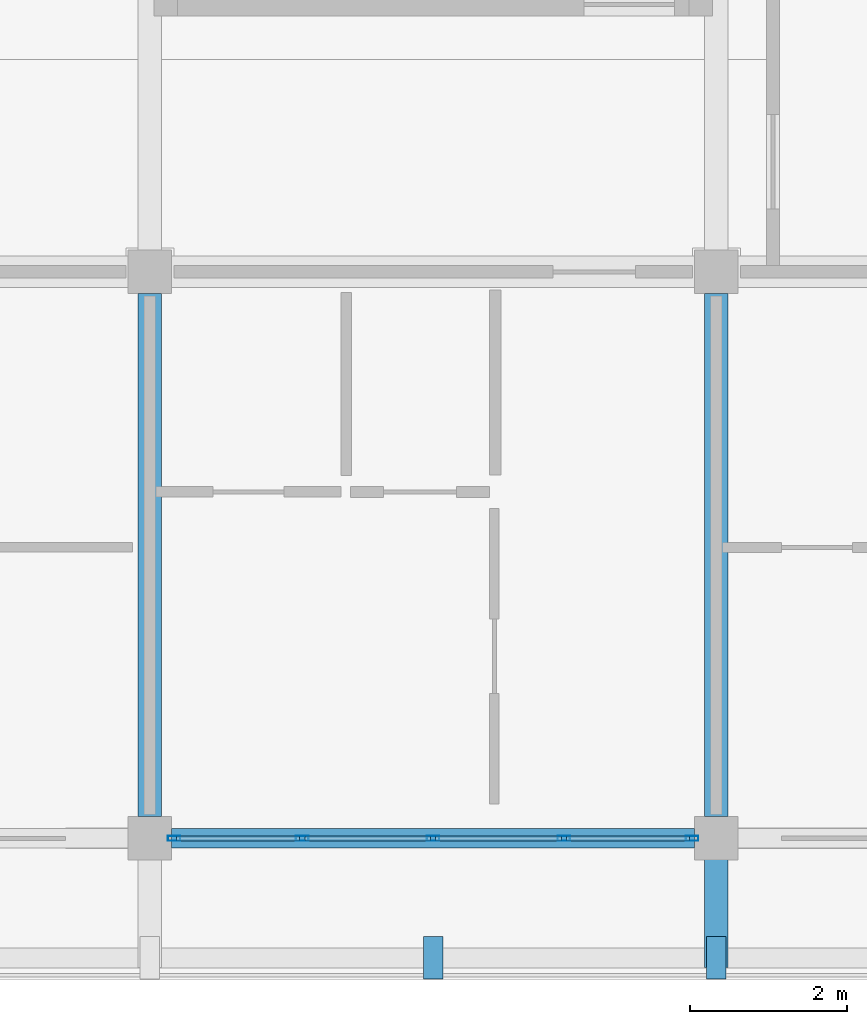
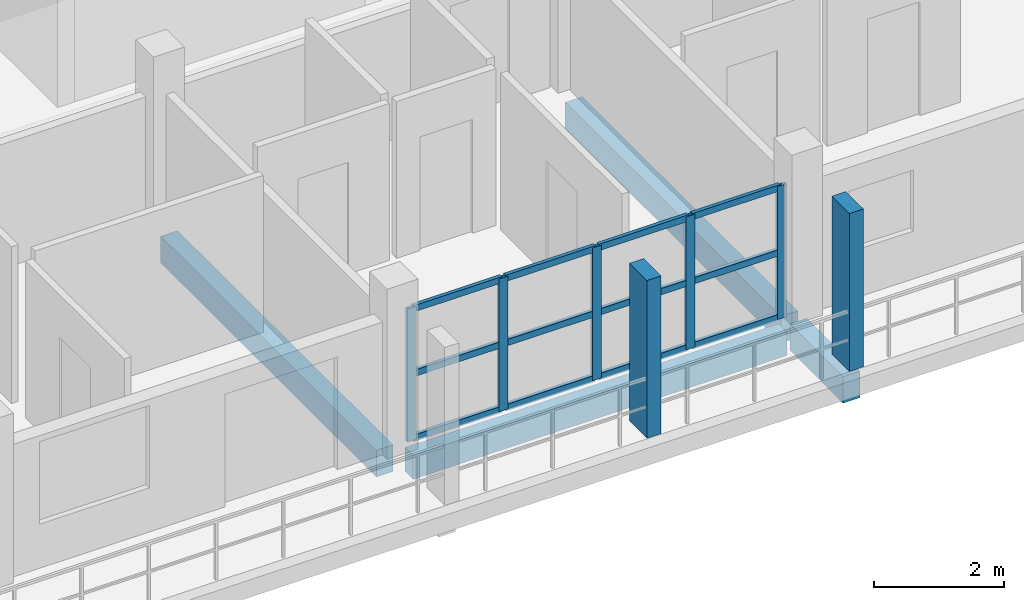
# One storey, part 4 of 65: 19 members, 4 beams, 1 element without a shape of its own.
"""IFC4 building model written with IfcOpenShell, lengths in metres."""

from ifc_helpers import new_model, si_unit, direction, frame, origin, origin_2d, place, context, subcontext, project, spatial, rectangle, hollow_rectangle, extrude, material, material_profile, profile_set, type_object, element, aggregate, save


model = new_model("IFC4")

# Units and contexts
model_context = context("Model", 3, precision=1e-05, world=origin(), true_north=direction((0.0, 1.0)))
body_context = subcontext(model_context, "Body", "Model", "MODEL_VIEW")
ifc_project = project(units=[si_unit("LENGTHUNIT", "METRE"), si_unit("AREAUNIT", "SQUARE_METRE"), si_unit("VOLUMEUNIT", "CUBIC_METRE"), si_unit("PLANEANGLEUNIT", "RADIAN"), si_unit("MASSUNIT", "GRAM", prefix="KILO")], contexts=[model_context])

# Site, building, storey
site_placement = place(None, origin())
site = spatial("IfcSite", under=ifc_project, at=site_placement, CompositionType="ELEMENT")
building_placement = place(site_placement, origin())
building = spatial("IfcBuilding", under=site, at=building_placement, Name="Suanplinth Sawtooth Commons", CompositionType="ELEMENT")
storey_placement = place(building_placement, frame((0.0, 0.0, 28.300048828125)))
storey = spatial("IfcBuildingStorey", under=building, at=storey_placement, Name="L08", CompositionType="ELEMENT", Elevation=28.300048828125)

# Beams
ifc_material_1 = material(Name="Precast concrete C40/50", Category="concrete")
ifc_material_profile_1 = material_profile(ifc_material_1, rectangle(XDim=0.300048828125, YDim=0.5, at=origin_2d()), Name="PC-BM 300x500")
ifc_profile_set_1 = profile_set([ifc_material_profile_1], Name="Precast concrete C40/50")
beam_type_1 = type_object("IfcBeamType", Name="B-07", PredefinedType="BEAM", material=ifc_profile_set_1)
for number, where, z_axis, x_axis, name in (
    (1, (14.39990234375, 0.27490234375, -0.4599609375), (0.0, 1.0, 0.0), (-1.0, 0.0, 0.0), "BMY-L08-D-2-0"),
    (2, (21.60009765625, 0.27490234375, -0.4599609375), (0.0, 1.0, 0.0), (-1.0, 0.0, 0.0), "BMY-L08-D-3-0"),
):
    element("IfcBeam", number, at=place(storey_placement, frame(where, z_axis=z_axis, x_axis=x_axis)), inside=storey, type_object=beam_type_1, Name=name, PredefinedType="BEAM", context=body_context, shape_type="SweptSolid", body=[
        extrude(rectangle(XDim=0.300048828125, YDim=0.5, at=origin_2d()), origin(), (0.0, 0.0, 1.0), 6.650146484375),
    ])
beam_1_placement = place(storey_placement, frame((21.60009765625, 0.0, -0.429931640625), z_axis=(0.0, -1.0, 0.0), x_axis=(1.0, 0.0, 0.0)))
element("IfcBeam", 3, at=beam_1_placement, inside=storey, type_object=beam_type_1, Name="Balcony Outrigger L08-D-S-3", PredefinedType="BEAM", context=body_context, shape_type="SweptSolid", body=[
    extrude(rectangle(XDim=0.300048828125, YDim=0.5, at=origin_2d()), origin(), (0.0, 0.0, 1.0), 1.639892578125),
])
ifc_material_profile_2 = material_profile(ifc_material_1, rectangle(XDim=0.25, YDim=0.449951171875, at=origin_2d()), Name="PC-SP 250x450")
ifc_profile_set_2 = profile_set([ifc_material_profile_2], Name="Precast concrete C40/50")
beam_type_2 = type_object("IfcBeamType", Name="B-09", PredefinedType="SPANDREL", material=ifc_profile_set_2)
beam_2_placement = place(storey_placement, frame((14.675048828125, 0.0, -0.43505859375), z_axis=(1.0, 0.0, 0.0), x_axis=(0.0, 1.0, 0.0)))
element("IfcBeam", 4, at=beam_2_placement, inside=storey, type_object=beam_type_2, Name="BMX-L08-D-2-0", PredefinedType="SPANDREL", context=body_context, shape_type="SweptSolid", body=[
    extrude(rectangle(XDim=0.25, YDim=0.449951171875, at=origin_2d()), origin(), (0.0, 0.0, 1.0), 6.64990234375),
])

# Members
ifc_material_2 = material(Name="Pigmented precast concrete C40/50", Category="concrete")
ifc_material_profile_3 = material_profile(ifc_material_2, rectangle(XDim=0.25, YDim=0.5400390625, at=origin_2d()), Name="PC-FIN 250x540")
ifc_profile_set_3 = profile_set([ifc_material_profile_3], Name="Pigmented precast concrete C40/50")
member_type_1 = type_object("IfcMemberType", Name="M-11", PredefinedType="USERDEFINED", material=ifc_profile_set_3)
for number, where, z_axis, x_axis, name in (
    (5, (18.0, -1.52001953125, 0.0), (0.0, 0.0, 1.0), (1.0, 0.0, 0.0), "Upright Solar Blade L08-D-S-03"),
    (6, (21.60009765625, -1.52001953125, 0.0), (0.0, 0.0, 1.0), (1.0, 0.0, 0.0), "Upright Solar Blade L08-D-S-04"),
):
    element("IfcMember", number, at=place(storey_placement, frame(where, z_axis=z_axis, x_axis=x_axis)), inside=storey, type_object=member_type_1, Name=name, ObjectType="SHADING FIN", PredefinedType="USERDEFINED", context=body_context, shape_type="SweptSolid", body=[
        extrude(rectangle(XDim=0.25, YDim=0.5400390625, at=origin_2d()), origin(), (0.0, 0.0, 1.0), 2.969970703125),
    ])

# Curtain wall, members
ifc_material_3 = material(Name="Anodized aluminium and low-E glazing", Category="aluminium")
curtain_wall_type = type_object("IfcCurtainWallType", Name="CW-06", PredefinedType="USERDEFINED", material=ifc_material_3)
curtain_wall_placement = place(storey_placement, origin())
curtain_wall = element("IfcCurtainWall", 7, at=curtain_wall_placement, inside=storey, type_object=curtain_wall_type, Name="Curtain Wall CW-L08-D-LOUNGE-2", ObjectType="CURTAIN WALL", PredefinedType="USERDEFINED")
ifc_material_4 = material(Name="Anodized aluminium 6063-T6", Category="aluminium")
ifc_material_profile_4 = material_profile(ifc_material_4, hollow_rectangle(XDim=0.06494140625, YDim=0.159912109375, WallThickness=0.00390625, at=origin_2d()), Name="ALU-MUL 65x160")
ifc_profile_set_4 = profile_set([ifc_material_profile_4], Name="Anodized aluminium 6063-T6")
member_type_2 = type_object("IfcMemberType", Name="M-13", PredefinedType="MULLION", material=ifc_profile_set_4)
member_1_placement = place(storey_placement, frame((14.70751953125, 0.0, 0.0), z_axis=(0.0, 0.0, 1.0), x_axis=(0.0, 1.0, 0.0)))
member_1 = element("IfcMember", 8, at=member_1_placement, type_object=member_type_2, Name="CW-06 mullion 1", PredefinedType="MULLION", context=body_context, shape_type="SweptSolid", body=[
    extrude(hollow_rectangle(XDim=0.06494140625, YDim=0.159912109375, WallThickness=0.00390625, at=origin_2d()), origin(), (0.0, 0.0, 1.0), 2.5),
])
member_2_placement = place(storey_placement, frame((16.33740234375, 0.0, 0.0), z_axis=(0.0, 0.0, 1.0), x_axis=(0.0, 1.0, 0.0)))
member_2 = element("IfcMember", 9, at=member_2_placement, type_object=member_type_2, Name="CW-06 mullion 2", PredefinedType="MULLION", context=body_context, shape_type="SweptSolid", body=[
    extrude(hollow_rectangle(XDim=0.06494140625, YDim=0.159912109375, WallThickness=0.00390625, at=origin_2d()), origin(), (0.0, 0.0, 1.0), 2.5),
])
member_3_placement = place(storey_placement, frame((18.0, 0.0, 0.0), z_axis=(0.0, 0.0, 1.0), x_axis=(0.0, 1.0, 0.0)))
member_3 = element("IfcMember", 10, at=member_3_placement, type_object=member_type_2, Name="CW-06 mullion 3", PredefinedType="MULLION", context=body_context, shape_type="SweptSolid", body=[
    extrude(hollow_rectangle(XDim=0.06494140625, YDim=0.159912109375, WallThickness=0.00390625, at=origin_2d()), origin(), (0.0, 0.0, 1.0), 2.5),
])
member_4_placement = place(storey_placement, frame((19.66259765625, 0.0, 0.0), z_axis=(0.0, 0.0, 1.0), x_axis=(0.0, 1.0, 0.0)))
member_4 = element("IfcMember", 11, at=member_4_placement, type_object=member_type_2, Name="CW-06 mullion 4", PredefinedType="MULLION", context=body_context, shape_type="SweptSolid", body=[
    extrude(hollow_rectangle(XDim=0.06494140625, YDim=0.159912109375, WallThickness=0.00390625, at=origin_2d()), origin(), (0.0, 0.0, 1.0), 2.5),
])
member_5_placement = place(storey_placement, frame((21.29248046875, 0.0, 0.0), z_axis=(0.0, 0.0, 1.0), x_axis=(0.0, 1.0, 0.0)))
member_5 = element("IfcMember", 12, at=member_5_placement, type_object=member_type_2, Name="CW-06 mullion 5", PredefinedType="MULLION", context=body_context, shape_type="SweptSolid", body=[
    extrude(hollow_rectangle(XDim=0.06494140625, YDim=0.159912109375, WallThickness=0.00390625, at=origin_2d()), origin(), (0.0, 0.0, 1.0), 2.5),
])
ifc_material_profile_5 = material_profile(ifc_material_4, hollow_rectangle(XDim=0.06494140625, YDim=0.1201171875, WallThickness=0.00390625, at=origin_2d()), Name="ALU-TRN 65x120")
ifc_profile_set_5 = profile_set([ifc_material_profile_5], Name="Anodized aluminium 6063-T6")
member_type_3 = type_object("IfcMemberType", Name="M-15", PredefinedType="USERDEFINED", material=ifc_profile_set_5)
member_6_placement = place(storey_placement, frame((14.739990234375, 0.0, 0.032470703125), z_axis=(1.0, 0.0, 0.0), x_axis=(0.0, 1.0, 0.0)))
member_6 = element("IfcMember", 13, at=member_6_placement, type_object=member_type_3, Name="CW-06 transom 1.1", ObjectType="TRANSOM", PredefinedType="USERDEFINED", context=body_context, shape_type="SweptSolid", body=[
    extrude(hollow_rectangle(XDim=0.06494140625, YDim=0.1201171875, WallThickness=0.00390625, at=origin_2d()), origin(), (0.0, 0.0, 1.0), 1.56494140625),
])
member_7_placement = place(storey_placement, frame((14.739990234375, 0.0, 1.25), z_axis=(1.0, 0.0, 0.0), x_axis=(0.0, 1.0, 0.0)))
member_7 = element("IfcMember", 14, at=member_7_placement, type_object=member_type_3, Name="CW-06 transom 1.2", ObjectType="TRANSOM", PredefinedType="USERDEFINED", context=body_context, shape_type="SweptSolid", body=[
    extrude(hollow_rectangle(XDim=0.06494140625, YDim=0.1201171875, WallThickness=0.00390625, at=origin_2d()), origin(), (0.0, 0.0, 1.0), 1.56494140625),
])
member_8_placement = place(storey_placement, frame((14.739990234375, 0.0, 2.467529296875), z_axis=(1.0, 0.0, 0.0), x_axis=(0.0, 1.0, 0.0)))
member_8 = element("IfcMember", 15, at=member_8_placement, type_object=member_type_3, Name="CW-06 transom 1.3", ObjectType="TRANSOM", PredefinedType="USERDEFINED", context=body_context, shape_type="SweptSolid", body=[
    extrude(hollow_rectangle(XDim=0.06494140625, YDim=0.1201171875, WallThickness=0.00390625, at=origin_2d()), origin(), (0.0, 0.0, 1.0), 1.56494140625),
])
member_9_placement = place(storey_placement, frame((16.3701171875, 0.0, 0.032470703125), z_axis=(1.0, 0.0, 0.0), x_axis=(0.0, 1.0, 0.0)))
member_9 = element("IfcMember", 16, at=member_9_placement, type_object=member_type_3, Name="CW-06 transom 2.1", ObjectType="TRANSOM", PredefinedType="USERDEFINED", context=body_context, shape_type="SweptSolid", body=[
    extrude(hollow_rectangle(XDim=0.06494140625, YDim=0.1201171875, WallThickness=0.00390625, at=origin_2d()), origin(), (0.0, 0.0, 1.0), 1.597412109375),
])
member_10_placement = place(storey_placement, frame((16.3701171875, 0.0, 1.25), z_axis=(1.0, 0.0, 0.0), x_axis=(0.0, 1.0, 0.0)))
member_10 = element("IfcMember", 17, at=member_10_placement, type_object=member_type_3, Name="CW-06 transom 2.2", ObjectType="TRANSOM", PredefinedType="USERDEFINED", context=body_context, shape_type="SweptSolid", body=[
    extrude(hollow_rectangle(XDim=0.06494140625, YDim=0.1201171875, WallThickness=0.00390625, at=origin_2d()), origin(), (0.0, 0.0, 1.0), 1.597412109375),
])
member_11_placement = place(storey_placement, frame((16.3701171875, 0.0, 2.467529296875), z_axis=(1.0, 0.0, 0.0), x_axis=(0.0, 1.0, 0.0)))
member_11 = element("IfcMember", 18, at=member_11_placement, type_object=member_type_3, Name="CW-06 transom 2.3", ObjectType="TRANSOM", PredefinedType="USERDEFINED", context=body_context, shape_type="SweptSolid", body=[
    extrude(hollow_rectangle(XDim=0.06494140625, YDim=0.1201171875, WallThickness=0.00390625, at=origin_2d()), origin(), (0.0, 0.0, 1.0), 1.597412109375),
])
member_12_placement = place(storey_placement, frame((18.032470703125, 0.0, 0.032470703125), z_axis=(1.0, 0.0, 0.0), x_axis=(0.0, 1.0, 0.0)))
member_12 = element("IfcMember", 19, at=member_12_placement, type_object=member_type_3, Name="CW-06 transom 3.1", ObjectType="TRANSOM", PredefinedType="USERDEFINED", context=body_context, shape_type="SweptSolid", body=[
    extrude(hollow_rectangle(XDim=0.06494140625, YDim=0.1201171875, WallThickness=0.00390625, at=origin_2d()), origin(), (0.0, 0.0, 1.0), 1.597412109375),
])
member_13_placement = place(storey_placement, frame((18.032470703125, 0.0, 1.25), z_axis=(1.0, 0.0, 0.0), x_axis=(0.0, 1.0, 0.0)))
member_13 = element("IfcMember", 20, at=member_13_placement, type_object=member_type_3, Name="CW-06 transom 3.2", ObjectType="TRANSOM", PredefinedType="USERDEFINED", context=body_context, shape_type="SweptSolid", body=[
    extrude(hollow_rectangle(XDim=0.06494140625, YDim=0.1201171875, WallThickness=0.00390625, at=origin_2d()), origin(), (0.0, 0.0, 1.0), 1.597412109375),
])
member_14_placement = place(storey_placement, frame((18.032470703125, 0.0, 2.467529296875), z_axis=(1.0, 0.0, 0.0), x_axis=(0.0, 1.0, 0.0)))
member_14 = element("IfcMember", 21, at=member_14_placement, type_object=member_type_3, Name="CW-06 transom 3.3", ObjectType="TRANSOM", PredefinedType="USERDEFINED", context=body_context, shape_type="SweptSolid", body=[
    extrude(hollow_rectangle(XDim=0.06494140625, YDim=0.1201171875, WallThickness=0.00390625, at=origin_2d()), origin(), (0.0, 0.0, 1.0), 1.597412109375),
])
member_15_placement = place(storey_placement, frame((19.695068359375, 0.0, 0.032470703125), z_axis=(1.0, 0.0, 0.0), x_axis=(0.0, 1.0, 0.0)))
member_15 = element("IfcMember", 22, at=member_15_placement, type_object=member_type_3, Name="CW-06 transom 4.1", ObjectType="TRANSOM", PredefinedType="USERDEFINED", context=body_context, shape_type="SweptSolid", body=[
    extrude(hollow_rectangle(XDim=0.06494140625, YDim=0.1201171875, WallThickness=0.00390625, at=origin_2d()), origin(), (0.0, 0.0, 1.0), 1.56494140625),
])
member_16_placement = place(storey_placement, frame((19.695068359375, 0.0, 1.25), z_axis=(1.0, 0.0, 0.0), x_axis=(0.0, 1.0, 0.0)))
member_16 = element("IfcMember", 23, at=member_16_placement, type_object=member_type_3, Name="CW-06 transom 4.2", ObjectType="TRANSOM", PredefinedType="USERDEFINED", context=body_context, shape_type="SweptSolid", body=[
    extrude(hollow_rectangle(XDim=0.06494140625, YDim=0.1201171875, WallThickness=0.00390625, at=origin_2d()), origin(), (0.0, 0.0, 1.0), 1.56494140625),
])
member_17_placement = place(storey_placement, frame((19.695068359375, 0.0, 2.467529296875), z_axis=(1.0, 0.0, 0.0), x_axis=(0.0, 1.0, 0.0)))
member_17 = element("IfcMember", 24, at=member_17_placement, type_object=member_type_3, Name="CW-06 transom 4.3", ObjectType="TRANSOM", PredefinedType="USERDEFINED", context=body_context, shape_type="SweptSolid", body=[
    extrude(hollow_rectangle(XDim=0.06494140625, YDim=0.1201171875, WallThickness=0.00390625, at=origin_2d()), origin(), (0.0, 0.0, 1.0), 1.56494140625),
])
aggregate(curtain_wall, [member_1, member_2, member_3, member_4, member_5, member_6, member_7, member_8, member_9, member_10, member_11, member_12, member_13, member_14, member_15, member_16, member_17])

save(model, "model.ifc")
